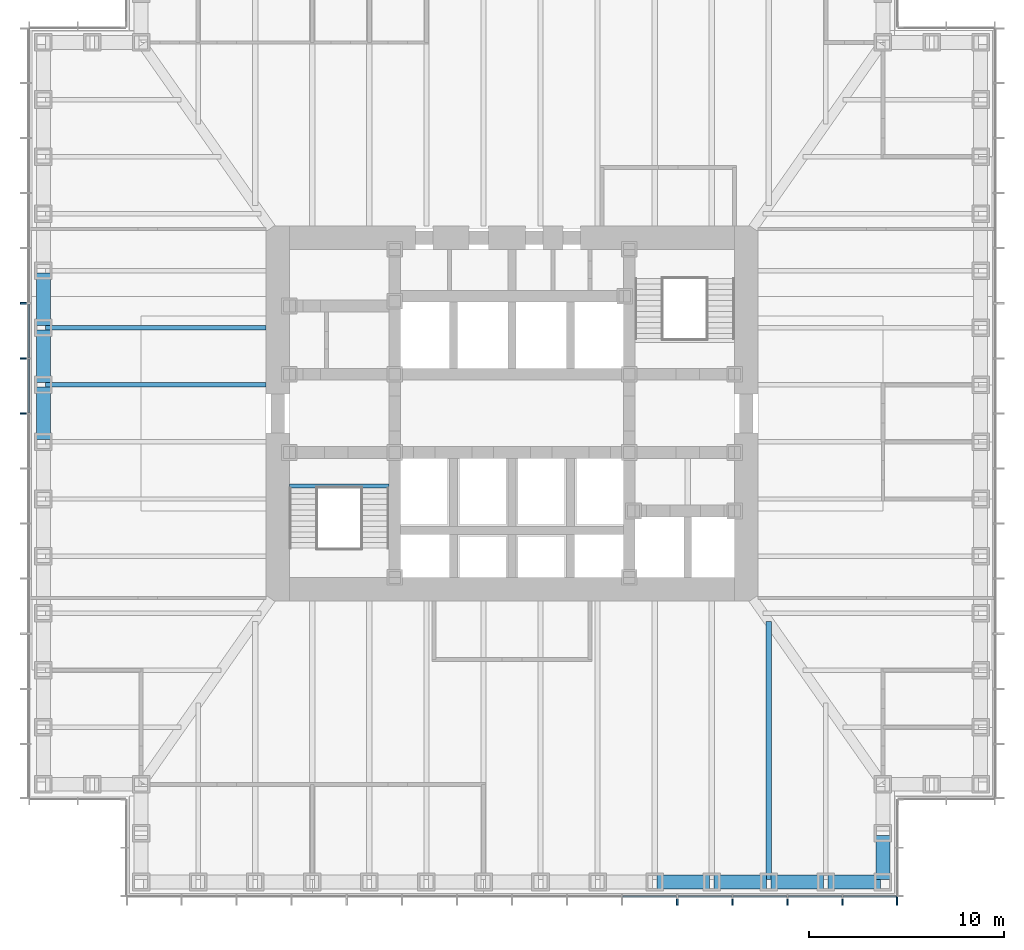
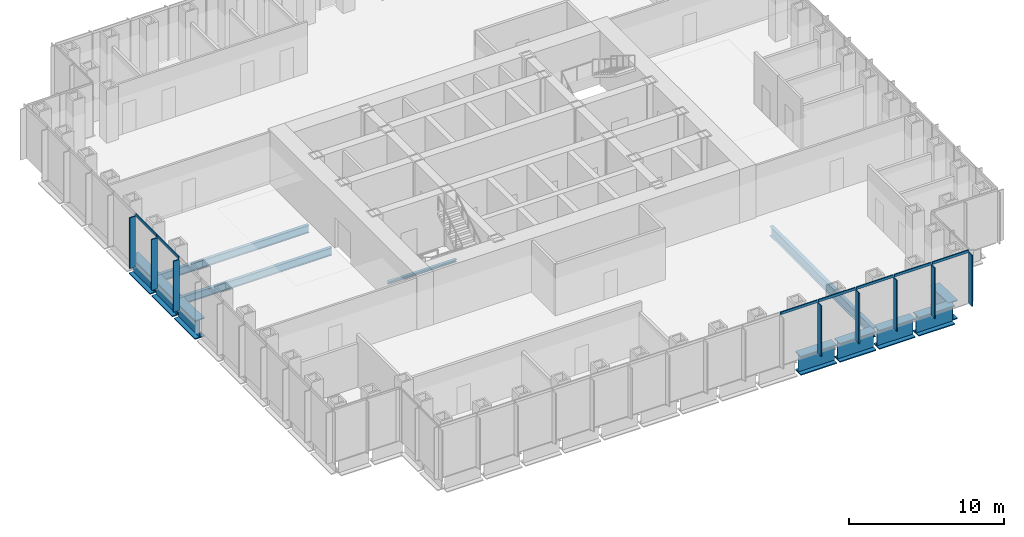
# One storey, part 3 of 16: 15 members, 12 beams, 2 elements without a shape of their own.
"""IFC4 building model written with IfcOpenShell, lengths in metres."""

from ifc_helpers import new_model, si_unit, direction, frame, origin, origin_2d, place, context, subcontext, project, spatial, rectangle, i_section, extrude, material, material_profile, profile_set, type_object, element, aggregate, save


model = new_model("IFC4")

# Units and contexts
model_context = context("Model", 3, precision=1e-05, world=origin(), true_north=direction((0.0, 1.0)))
body_context = subcontext(model_context, "Body", "Model", "MODEL_VIEW")
ifc_project = project(units=[si_unit("LENGTHUNIT", "METRE"), si_unit("AREAUNIT", "SQUARE_METRE"), si_unit("VOLUMEUNIT", "CUBIC_METRE"), si_unit("PLANEANGLEUNIT", "RADIAN"), si_unit("MASSUNIT", "GRAM", prefix="KILO")], contexts=[model_context])

# Site, building, storey
site_placement = place(None, origin())
site = spatial("IfcSite", under=ifc_project, at=site_placement, CompositionType="ELEMENT")
building_placement = place(site_placement, origin())
building = spatial("IfcBuilding", under=site, at=building_placement, Name="Daluyong Arena Tower", CompositionType="ELEMENT")
storey_placement = place(building_placement, frame((0.0, 0.0, 64.300048828125)))
storey = spatial("IfcBuildingStorey", under=building, at=storey_placement, Name="L13", CompositionType="ELEMENT", Elevation=64.300048828125)

# Curtain wall, members
ifc_material_1 = material(Name="Bronze anodised aluminium and glass", Category="aluminium")
curtain_wall_type = type_object("IfcCurtainWallType", Name="Curtain wall CW1", PredefinedType="USERDEFINED", material=ifc_material_1)
curtain_wall_1_placement = place(storey_placement, origin())
curtain_wall_1 = element("IfcCurtainWall", 1, at=curtain_wall_1_placement, inside=storey, type_object=curtain_wall_type, Name="curtain wall L13 S", ObjectType="UNITISED CURTAIN WALL", PredefinedType="USERDEFINED")
ifc_material_2 = material(Name="Bronze anodised aluminium fin", Category="aluminium")
ifc_material_profile_1 = material_profile(ifc_material_2, rectangle(XDim=0.449951171875, YDim=0.080078125, at=origin_2d()))
ifc_profile_set_1 = profile_set([ifc_material_profile_1], Name="Bronze anodised aluminium fin")
member_type_1 = type_object("IfcMemberType", Name="CW1 bronze fin 450x80", PredefinedType="MULLION", material=ifc_profile_set_1)
member_1_placement = place(storey_placement, frame((64.46435546875, 55.02490234375, 0.0), z_axis=(0.0, 0.0, 1.0), x_axis=(0.0, 1.0, 0.0)))
member_1 = element("IfcMember", 2, at=member_1_placement, type_object=member_type_1, Name="curtain wall L13 S fin 11", PredefinedType="MULLION", context=body_context, shape_type="SweptSolid", body=[
    extrude(rectangle(XDim=0.449951171875, YDim=0.080078125, at=origin_2d()), origin(), (0.0, 0.0, 1.0), 4.0),
])
member_2_placement = place(storey_placement, frame((67.28564453125, 55.02490234375, 0.0), z_axis=(0.0, 0.0, 1.0), x_axis=(0.0, 1.0, 0.0)))
member_2 = element("IfcMember", 3, at=member_2_placement, type_object=member_type_1, Name="curtain wall L13 S fin 12", PredefinedType="MULLION", context=body_context, shape_type="SweptSolid", body=[
    extrude(rectangle(XDim=0.449951171875, YDim=0.080078125, at=origin_2d()), origin(), (0.0, 0.0, 1.0), 4.0),
])
member_3_placement = place(storey_placement, frame((70.107177734375, 55.02490234375, 0.0), z_axis=(0.0, 0.0, 1.0), x_axis=(0.0, 1.0, 0.0)))
member_3 = element("IfcMember", 4, at=member_3_placement, type_object=member_type_1, Name="curtain wall L13 S fin 13", PredefinedType="MULLION", context=body_context, shape_type="SweptSolid", body=[
    extrude(rectangle(XDim=0.449951171875, YDim=0.080078125, at=origin_2d()), origin(), (0.0, 0.0, 1.0), 4.0),
])
member_4_placement = place(storey_placement, frame((72.928466796875, 55.02490234375, 0.0), z_axis=(0.0, 0.0, 1.0), x_axis=(0.0, 1.0, 0.0)))
member_4 = element("IfcMember", 5, at=member_4_placement, type_object=member_type_1, Name="curtain wall L13 S fin 14", PredefinedType="MULLION", context=body_context, shape_type="SweptSolid", body=[
    extrude(rectangle(XDim=0.449951171875, YDim=0.080078125, at=origin_2d()), origin(), (0.0, 0.0, 1.0), 4.0),
])
member_5_placement = place(storey_placement, frame((75.7099609375, 55.02490234375, 0.0), z_axis=(0.0, 0.0, 1.0), x_axis=(0.0, 1.0, 0.0)))
member_5 = element("IfcMember", 6, at=member_5_placement, type_object=member_type_1, Name="curtain wall L13 S fin 15", PredefinedType="MULLION", context=body_context, shape_type="SweptSolid", body=[
    extrude(rectangle(XDim=0.449951171875, YDim=0.080078125, at=origin_2d()), origin(), (0.0, 0.0, 1.0), 4.0),
])

curtain_wall_2_placement = place(storey_placement, origin())
curtain_wall_2 = element("IfcCurtainWall", 7, at=curtain_wall_2_placement, inside=storey, type_object=curtain_wall_type, Name="curtain wall L13 W", ObjectType="UNITISED CURTAIN WALL", PredefinedType="USERDEFINED")
member_6_placement = place(storey_placement, frame((31.02490234375, 85.642822265625, 0.0), z_axis=(0.0, 0.0, 1.0), x_axis=(1.0, 0.0, 0.0)))
member_6 = element("IfcMember", 8, at=member_6_placement, type_object=member_type_1, Name="curtain wall L13 W fin 6", PredefinedType="MULLION", context=body_context, shape_type="SweptSolid", body=[
    extrude(rectangle(XDim=0.449951171875, YDim=0.080078125, at=origin_2d()), origin(), (0.0, 0.0, 1.0), 4.0),
])
member_7_placement = place(storey_placement, frame((31.02490234375, 82.821533203125, 0.0), z_axis=(0.0, 0.0, 1.0), x_axis=(1.0, 0.0, 0.0)))
member_7 = element("IfcMember", 9, at=member_7_placement, type_object=member_type_1, Name="curtain wall L13 W fin 7", PredefinedType="MULLION", context=body_context, shape_type="SweptSolid", body=[
    extrude(rectangle(XDim=0.449951171875, YDim=0.080078125, at=origin_2d()), origin(), (0.0, 0.0, 1.0), 4.0),
])
member_8_placement = place(storey_placement, frame((31.02490234375, 80.0, 0.0), z_axis=(0.0, 0.0, 1.0), x_axis=(1.0, 0.0, 0.0)))
member_8 = element("IfcMember", 10, at=member_8_placement, type_object=member_type_1, Name="curtain wall L13 W fin 8", PredefinedType="MULLION", context=body_context, shape_type="SweptSolid", body=[
    extrude(rectangle(XDim=0.449951171875, YDim=0.080078125, at=origin_2d()), origin(), (0.0, 0.0, 1.0), 4.0),
])

# Member
ifc_material_3 = material(Name="Bronze anodised aluminium", Category="aluminium")
ifc_material_profile_2 = material_profile(ifc_material_3, rectangle(XDim=0.080078125, YDim=0.199951171875, at=origin_2d()))
ifc_profile_set_2 = profile_set([ifc_material_profile_2], Name="Bronze anodised aluminium")
member_type_2 = type_object("IfcMemberType", Name="CW1 stack transom 200x80", PredefinedType="USERDEFINED", material=ifc_profile_set_2)
member_9_placement = place(storey_placement, frame((61.682861328125, 55.25, 4.099853515625), z_axis=(1.0, 0.0, 0.0), x_axis=(0.0, 1.0, 0.0)))
member_9 = element("IfcMember", 11, at=member_9_placement, type_object=member_type_2, Name="curtain wall L13 S transom 10", ObjectType="TRANSOM", PredefinedType="USERDEFINED", context=body_context, shape_type="SweptSolid", body=[
    extrude(rectangle(XDim=0.080078125, YDim=0.199951171875, at=origin_2d()), origin(), (0.0, 0.0, 1.0), 2.741455078125),
])

member_10_placement = place(storey_placement, frame((64.50439453125, 55.25, 4.099853515625), z_axis=(1.0, 0.0, 0.0), x_axis=(0.0, 1.0, 0.0)))
member_10 = element("IfcMember", 12, at=member_10_placement, type_object=member_type_2, Name="curtain wall L13 S transom 11", ObjectType="TRANSOM", PredefinedType="USERDEFINED", context=body_context, shape_type="SweptSolid", body=[
    extrude(rectangle(XDim=0.080078125, YDim=0.199951171875, at=origin_2d()), origin(), (0.0, 0.0, 1.0), 2.7412109375),
])

member_11_placement = place(storey_placement, frame((67.32568359375, 55.25, 4.099853515625), z_axis=(1.0, 0.0, 0.0), x_axis=(0.0, 1.0, 0.0)))
member_11 = element("IfcMember", 13, at=member_11_placement, type_object=member_type_2, Name="curtain wall L13 S transom 12", ObjectType="TRANSOM", PredefinedType="USERDEFINED", context=body_context, shape_type="SweptSolid", body=[
    extrude(rectangle(XDim=0.080078125, YDim=0.199951171875, at=origin_2d()), origin(), (0.0, 0.0, 1.0), 2.741455078125),
])

member_12_placement = place(storey_placement, frame((70.147216796875, 55.25, 4.099853515625), z_axis=(1.0, 0.0, 0.0), x_axis=(0.0, 1.0, 0.0)))
member_12 = element("IfcMember", 14, at=member_12_placement, type_object=member_type_2, Name="curtain wall L13 S transom 13", ObjectType="TRANSOM", PredefinedType="USERDEFINED", context=body_context, shape_type="SweptSolid", body=[
    extrude(rectangle(XDim=0.080078125, YDim=0.199951171875, at=origin_2d()), origin(), (0.0, 0.0, 1.0), 2.741455078125),
])

member_13_placement = place(storey_placement, frame((72.968505859375, 55.25, 4.099853515625), z_axis=(1.0, 0.0, 0.0), x_axis=(0.0, 1.0, 0.0)))
member_13 = element("IfcMember", 15, at=member_13_placement, type_object=member_type_2, Name="curtain wall L13 S transom 14", ObjectType="TRANSOM", PredefinedType="USERDEFINED", context=body_context, shape_type="SweptSolid", body=[
    extrude(rectangle(XDim=0.080078125, YDim=0.199951171875, at=origin_2d()), origin(), (0.0, 0.0, 1.0), 2.701416015625),
])

aggregate(curtain_wall_1, [member_1, member_2, member_3, member_4, member_5, member_9, member_10, member_11, member_12, member_13])

member_14_placement = place(storey_placement, frame((31.25, 85.602783203125, 4.099853515625), z_axis=(0.0, -1.0, 0.0), x_axis=(1.0, 0.0, 0.0)))
member_14 = element("IfcMember", 16, at=member_14_placement, type_object=member_type_2, Name="curtain wall L13 W transom 6", ObjectType="TRANSOM", PredefinedType="USERDEFINED", context=body_context, shape_type="SweptSolid", body=[
    extrude(rectangle(XDim=0.080078125, YDim=0.199951171875, at=origin_2d()), origin(), (0.0, 0.0, 1.0), 2.741455078125),
])

member_15_placement = place(storey_placement, frame((31.25, 82.781494140625, 4.099853515625), z_axis=(0.0, -1.0, 0.0), x_axis=(1.0, 0.0, 0.0)))
member_15 = element("IfcMember", 17, at=member_15_placement, type_object=member_type_2, Name="curtain wall L13 W transom 7", ObjectType="TRANSOM", PredefinedType="USERDEFINED", context=body_context, shape_type="SweptSolid", body=[
    extrude(rectangle(XDim=0.080078125, YDim=0.199951171875, at=origin_2d()), origin(), (0.0, 0.0, 1.0), 2.741455078125),
])

aggregate(curtain_wall_2, [member_6, member_7, member_8, member_14, member_15])

# Beams
ifc_material_4 = material(Name="Steel ASTM A992 Grade 50", Category="steel")
ifc_material_profile_3 = material_profile(ifc_material_4, i_section(OverallWidth=0.22900390625, OverallDepth=0.612060546875, WebThickness=0.011962890625, FlangeThickness=0.01953125, at=origin_2d()))
ifc_profile_set_3 = profile_set([ifc_material_profile_3], Name="Steel ASTM A992 Grade 50")
beam_type_1 = type_object("IfcBeamType", Name="Floor beam W24X84", PredefinedType="BEAM", material=ifc_profile_set_3)
for number, where, z_axis, x_axis, name in (
    (18, (32.114990234375, 84.384521484375, -0.466064453125), (1.0, 0.0, 0.0), (0.0, 1.0, 0.0), "floor beam FB3"),
    (19, (32.114990234375, 81.46142578125, -0.466064453125), (1.0, 0.0, 0.0), (0.0, 1.0, 0.0), "floor beam FB3"),
):
    element("IfcBeam", number, at=place(storey_placement, frame(where, z_axis=z_axis, x_axis=x_axis)), inside=storey, type_object=beam_type_1, Name=name, PredefinedType="BEAM", context=body_context, shape_type="SweptSolid", body=[
        extrude(i_section(OverallWidth=0.22900390625, OverallDepth=0.612060546875, WebThickness=0.011962890625, FlangeThickness=0.01953125, at=origin_2d()), origin(), (0.0, 0.0, 1.0), 11.284912109375),
    ])
ifc_material_5 = material(Name="Steel ASTM A992 Grade 50", Category="steel")
ifc_material_profile_4 = material_profile(ifc_material_5, i_section(OverallWidth=0.2666015625, OverallDepth=0.761962890625, WebThickness=0.014404296875, FlangeThickness=0.021484375, at=origin_2d()))
ifc_profile_set_4 = profile_set([ifc_material_profile_4], Name="Steel ASTM A992 Grade 50")
beam_type_2 = type_object("IfcBeamType", Name="Floor beam W30X116", PredefinedType="BEAM", material=ifc_profile_set_4)
beam_1_placement = place(storey_placement, frame((69.15380859375, 56.114990234375, -0.541015625), z_axis=(0.0, 1.0, 0.0), x_axis=(-1.0, 0.0, 0.0)))
element("IfcBeam", 20, at=beam_1_placement, inside=storey, type_object=beam_type_2, Name="floor beam FB4", PredefinedType="BEAM", context=body_context, shape_type="SweptSolid", body=[
    extrude(i_section(OverallWidth=0.2666015625, OverallDepth=0.761962890625, WebThickness=0.014404296875, FlangeThickness=0.021484375, at=origin_2d()), origin(), (0.0, 0.0, 1.0), 13.236572265625),
])
ifc_material_6 = material(Name="Steel ASTM A572 Grade 50", Category="steel")
ifc_material_profile_5 = material_profile(ifc_material_6, i_section(OverallWidth=0.699951171875, OverallDepth=1.5, WebThickness=0.04, FlangeThickness=0.08, at=origin_2d()))
ifc_profile_set_5 = profile_set([ifc_material_profile_5], Name="Steel ASTM A572 Grade 50")
beam_type_3 = type_object("IfcBeamType", Name="Spandrel Z1 PG1500X700", PredefinedType="SPANDREL", material=ifc_profile_set_5)
for number, where, z_axis, x_axis, name in (
    (21, (63.422607421875, 56.0, -0.91015625), (1.0, 0.0, 0.0), (0.0, 1.0, 0.0), "spandrel z1 SB4"),
    (22, (66.345703125, 56.0, -0.91015625), (1.0, 0.0, 0.0), (0.0, 1.0, 0.0), "spandrel z1 SB4"),
    (23, (69.268798828125, 56.0, -0.91015625), (1.0, 0.0, 0.0), (0.0, 1.0, 0.0), "spandrel z1 SB4"),
    (24, (72.19189453125, 56.0, -0.91015625), (1.0, 0.0, 0.0), (0.0, 1.0, 0.0), "spandrel z1 SB4"),
):
    element("IfcBeam", number, at=place(storey_placement, frame(where, z_axis=z_axis, x_axis=x_axis)), inside=storey, type_object=beam_type_3, Name=name, PredefinedType="SPANDREL", context=body_context, shape_type="SweptSolid", body=[
        extrude(i_section(OverallWidth=0.699951171875, OverallDepth=1.5, WebThickness=0.04, FlangeThickness=0.08, at=origin_2d()), origin(), (0.0, 0.0, 1.0), 2.693115234375),
    ])
beam_2_placement = place(storey_placement, frame((75.0, 56.114990234375, -0.91015625), z_axis=(0.0, 1.0, 0.0), x_axis=(-1.0, 0.0, 0.0)))
element("IfcBeam", 25, at=beam_2_placement, inside=storey, type_object=beam_type_3, Name="spandrel z1 SB4", PredefinedType="SPANDREL", context=body_context, shape_type="SweptSolid", body=[
    extrude(i_section(OverallWidth=0.699951171875, OverallDepth=1.5, WebThickness=0.04, FlangeThickness=0.08, at=origin_2d()), origin(), (0.0, 0.0, 1.0), 2.27001953125),
])
for number, where, z_axis, x_axis, name in (
    (26, (32.0, 87.192626953125, -0.91015625), (0.0, -1.0, 0.0), (1.0, 0.0, 0.0), "spandrel z1 SB4"),
    (27, (32.0, 84.26953125, -0.91015625), (0.0, -1.0, 0.0), (1.0, 0.0, 0.0), "spandrel z1 SB4"),
):
    element("IfcBeam", number, at=place(storey_placement, frame(where, z_axis=z_axis, x_axis=x_axis)), inside=storey, type_object=beam_type_3, Name=name, PredefinedType="SPANDREL", context=body_context, shape_type="SweptSolid", body=[
        extrude(i_section(OverallWidth=0.699951171875, OverallDepth=1.5, WebThickness=0.04, FlangeThickness=0.08, at=origin_2d()), origin(), (0.0, 0.0, 1.0), 2.693115234375),
    ])
beam_3_placement = place(storey_placement, frame((32.0, 81.346435546875, -0.91015625), z_axis=(0.0, -1.0, 0.0), x_axis=(1.0, 0.0, 0.0)))
element("IfcBeam", 28, at=beam_3_placement, inside=storey, type_object=beam_type_3, Name="spandrel z1 SB4", PredefinedType="SPANDREL", context=body_context, shape_type="SweptSolid", body=[
    extrude(i_section(OverallWidth=0.699951171875, OverallDepth=1.5, WebThickness=0.04, FlangeThickness=0.08, at=origin_2d()), origin(), (0.0, 0.0, 1.0), 2.69287109375),
])
ifc_material_7 = material(Name="Steel ASTM A992 Grade 50", Category="steel")
ifc_material_profile_6 = material_profile(ifc_material_7, i_section(OverallWidth=0.203125, OverallDepth=0.203125, WebThickness=0.00732421875, FlangeThickness=0.010986328125, at=origin_2d()))
ifc_profile_set_6 = profile_set([ifc_material_profile_6], Name="Steel ASTM A992 Grade 50")
beam_type_4 = type_object("IfcBeamType", Name="Stair landing beam W8X31", PredefinedType="BEAM", material=ifc_profile_set_6)
beam_4_placement = place(storey_placement, frame((44.60009765625, 76.276611328125, -0.26171875), z_axis=(1.0, 0.0, 0.0), x_axis=(0.0, 1.0, 0.0)))
element("IfcBeam", 29, at=beam_4_placement, inside=storey, type_object=beam_type_4, Name="exit stair A landing beam", PredefinedType="BEAM", context=body_context, shape_type="SweptSolid", body=[
    extrude(i_section(OverallWidth=0.203125, OverallDepth=0.203125, WebThickness=0.00732421875, FlangeThickness=0.010986328125, at=origin_2d()), origin(), (0.0, 0.0, 1.0), 5.099853515625),
])

save(model, "model.ifc")
